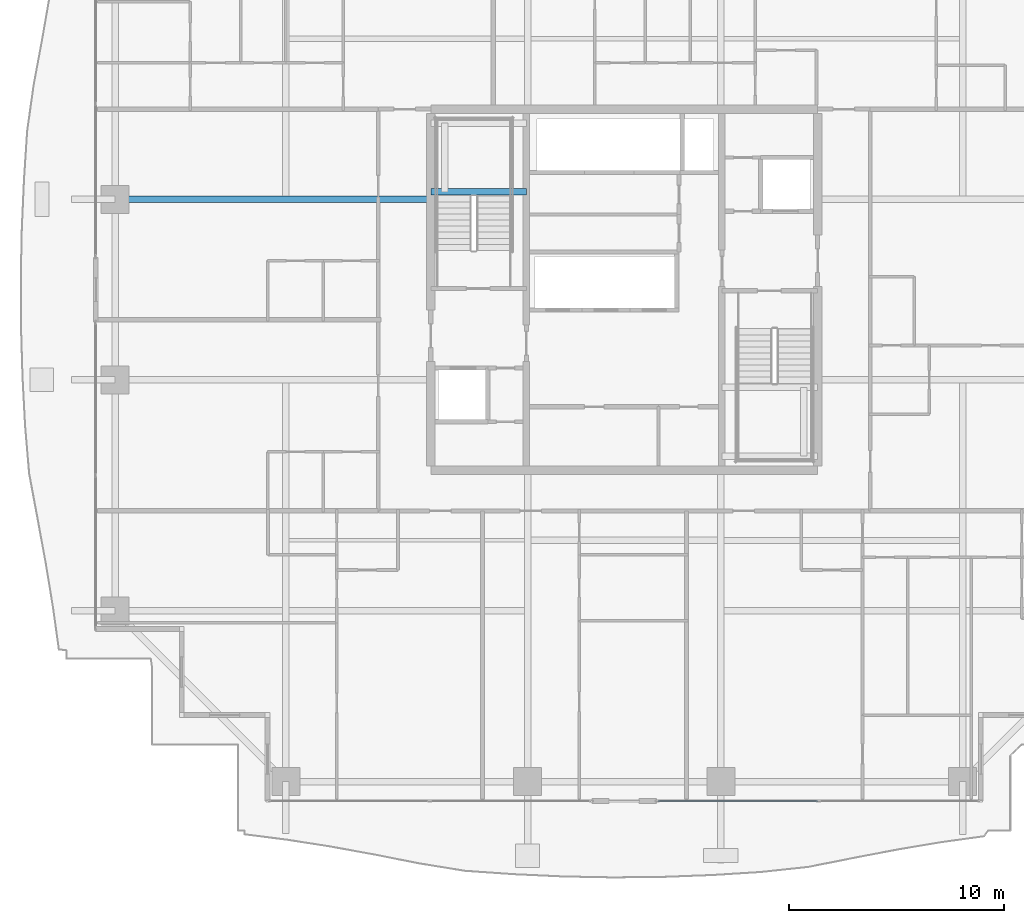
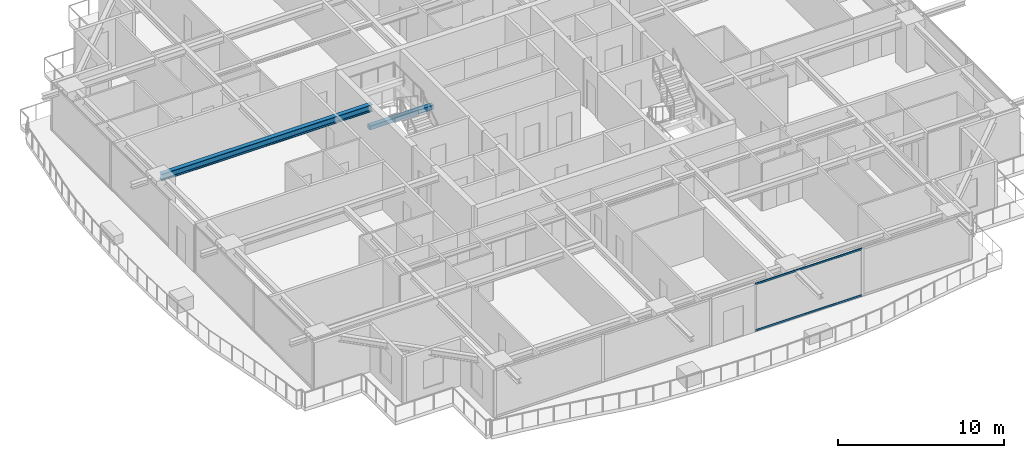
# One storey, part 10 of 35: 2 beams, 2 members, 1 element without a shape of its own.
"""IFC4 building model written with IfcOpenShell, lengths in metres."""

from ifc_helpers import new_model, si_unit, direction, frame, origin, origin_2d, place, context, subcontext, project, spatial, rectangle, hollow_rectangle, i_section, extrude, source, transform, mapped, material, layer, layer_set, material_profile, profile_set, type_object, element, aggregate, save


model = new_model("IFC4")

# Units and contexts
model_context = context("Model", 3, precision=1e-05, world=origin(), true_north=direction((0.0, 1.0)))
body_context = subcontext(model_context, "Body", "Model", "MODEL_VIEW")
ifc_project = project(units=[si_unit("LENGTHUNIT", "METRE"), si_unit("AREAUNIT", "SQUARE_METRE"), si_unit("VOLUMEUNIT", "CUBIC_METRE"), si_unit("PLANEANGLEUNIT", "RADIAN"), si_unit("MASSUNIT", "GRAM", prefix="KILO")], contexts=[model_context])

# Site, building, storey
site_placement = place(None, origin())
site = spatial("IfcSite", under=ifc_project, at=site_placement, CompositionType="ELEMENT")
building_placement = place(site_placement, origin())
building = spatial("IfcBuilding", under=site, at=building_placement, Name="Serunith Strait Residences", CompositionType="ELEMENT")
storey_placement = place(building_placement, frame((0.0, 0.0, 172.64990234375)))
storey = spatial("IfcBuildingStorey", under=building, at=storey_placement, Name="L43", CompositionType="ELEMENT", Elevation=172.64990234375)

# Beams
ifc_material_1 = material(Name="Steel S355J2", Category="steel")
ifc_material_profile_1 = material_profile(ifc_material_1, i_section(OverallWidth=0.300048828125, OverallDepth=0.5, WebThickness=0.014404296875, FlangeThickness=0.028076171875, FilletRadius=0.027099609375, at=origin_2d()), Name="HEB 500")
ifc_profile_set_1 = profile_set([ifc_material_profile_1], Name="Steel S355J2")
beam_type_1 = type_object("IfcBeamType", Name="BM-HEB500", PredefinedType="BEAM", material=ifc_profile_set_1)
shared_shape_1 = source(origin(), body_context, "Body", "SweptSolid", [
    extrude(i_section(OverallWidth=0.300048828125, OverallDepth=0.5, WebThickness=0.014404296875, FlangeThickness=0.028076171875, FilletRadius=0.027099609375, at=origin_2d()), origin(), (0.0, 0.0, 1.0), 14.699951171875),
])
beam_1_placement = place(storey_placement, frame((23.39990234375, 29.39990234375, 3.237060546875), z_axis=(-1.0, 0.0, 0.0), x_axis=(0.0, -1.0, 0.0)))
element("IfcBeam", 1, at=beam_1_placement, inside=storey, type_object=beam_type_1, Name="L43 Primary Floor Girder TC-W3", PredefinedType="BEAM", context=body_context, shape_type="MappedRepresentation", body=[
    mapped(shared_shape_1, transform((0.0, 0.0, 0.0), scale=1.0)),
])
ifc_material_2 = material(Name="Concrete C60/75", Category="concrete")
ifc_material_profile_2 = material_profile(ifc_material_2, rectangle(XDim=0.300048828125, YDim=0.300048828125, at=origin_2d()), Name="RC 300x300")
ifc_profile_set_2 = profile_set([ifc_material_profile_2], Name="Concrete C60/75")
beam_type_2 = type_object("IfcBeamType", Name="BM-LAND-300x300", PredefinedType="BEAM", material=ifc_profile_set_2)
shared_shape_2 = source(origin(), body_context, "Body", "SweptSolid", [
    extrude(rectangle(XDim=0.300048828125, YDim=0.300048828125, at=origin_2d()), origin(), (0.0, 0.0, 1.0), 4.4501953125),
])
beam_2_placement = place(storey_placement, frame((23.39990234375, 29.75, 1.525146484375), z_axis=(1.0, 0.0, 0.0), x_axis=(0.0, 1.0, 0.0)))
element("IfcBeam", 2, at=beam_2_placement, inside=storey, type_object=beam_type_2, Name="L43 ST-1 Landing Support Beam 1", PredefinedType="BEAM", context=body_context, shape_type="MappedRepresentation", body=[
    mapped(shared_shape_2, transform((0.0, 0.0, 0.0), scale=1.0)),
])

# Curtain wall, members
ifc_material_3 = material(Name="Pale-Champagne Anodised Aluminium", Category="aluminium")
ifc_layer = layer(ifc_material_3, 0.199951171875, Name="Pale-Champagne Anodised Aluminium")
ifc_layer_set = layer_set([ifc_layer], Name="Pale-Champagne Anodised Aluminium")
curtain_wall_type = type_object("IfcCurtainWallType", Name="CW-SYS2", PredefinedType="NOTDEFINED", material=ifc_layer_set)
curtain_wall_placement = place(storey_placement, origin())
curtain_wall = element("IfcCurtainWall", 3, at=curtain_wall_placement, inside=storey, type_object=curtain_wall_type, Name="L43 S Unitised Fritted Curtain Wall", PredefinedType="NOTDEFINED")
ifc_material_profile_3 = material_profile(ifc_material_3, hollow_rectangle(XDim=0.06005859375, YDim=0.139892578125, WallThickness=0.00341796875, InnerFilletRadius=0.00537109375, OuterFilletRadius=0.0087890625, at=origin_2d()), Name="ALU 140x60x3.5")
ifc_profile_set_3 = profile_set([ifc_material_profile_3], Name="Pale-Champagne Anodised Aluminium")
member_type = type_object("IfcMemberType", Name="CW-SYS2-TRAN", PredefinedType="USERDEFINED", material=ifc_profile_set_3)
shared_shape_3 = source(origin(), body_context, "Body", "SweptSolid", [
    extrude(hollow_rectangle(XDim=0.06005859375, YDim=0.139892578125, WallThickness=0.00341796875, InnerFilletRadius=0.00537109375, OuterFilletRadius=0.0087890625, at=origin_2d()), origin(), (0.0, 0.0, 1.0), 7.445068359375),
])
member_1_placement = place(storey_placement, frame((33.969970703125, 1.39990234375, 0.030029296875), z_axis=(1.0, 0.0, 0.0), x_axis=(0.0, 1.0, 0.0)))
member_1 = element("IfcMember", 4, at=member_1_placement, type_object=member_type, Name="CW-2 transom 1.1", ObjectType="TRANSOM", PredefinedType="USERDEFINED", context=body_context, shape_type="MappedRepresentation", body=[
    mapped(shared_shape_3, transform((0.0, 0.0, 0.0), scale=1.0)),
])
member_2_placement = place(storey_placement, frame((33.969970703125, 1.39990234375, 3.445068359375), z_axis=(1.0, 0.0, 0.0), x_axis=(0.0, 1.0, 0.0)))
member_2 = element("IfcMember", 5, at=member_2_placement, type_object=member_type, Name="CW-2 transom 1.2", ObjectType="TRANSOM", PredefinedType="USERDEFINED", context=body_context, shape_type="MappedRepresentation", body=[
    mapped(shared_shape_3, transform((0.0, 0.0, 0.0), scale=1.0)),
])
aggregate(curtain_wall, [member_1, member_2])

save(model, "model.ifc")
